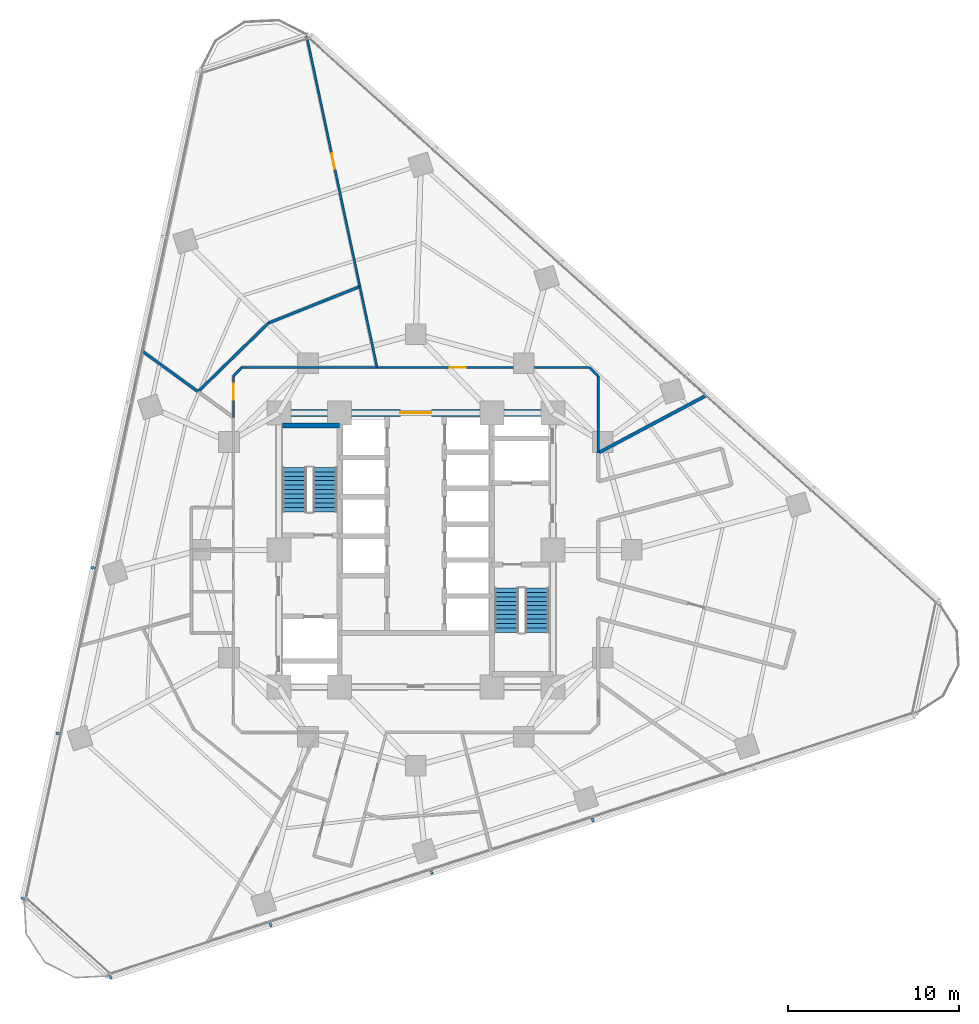
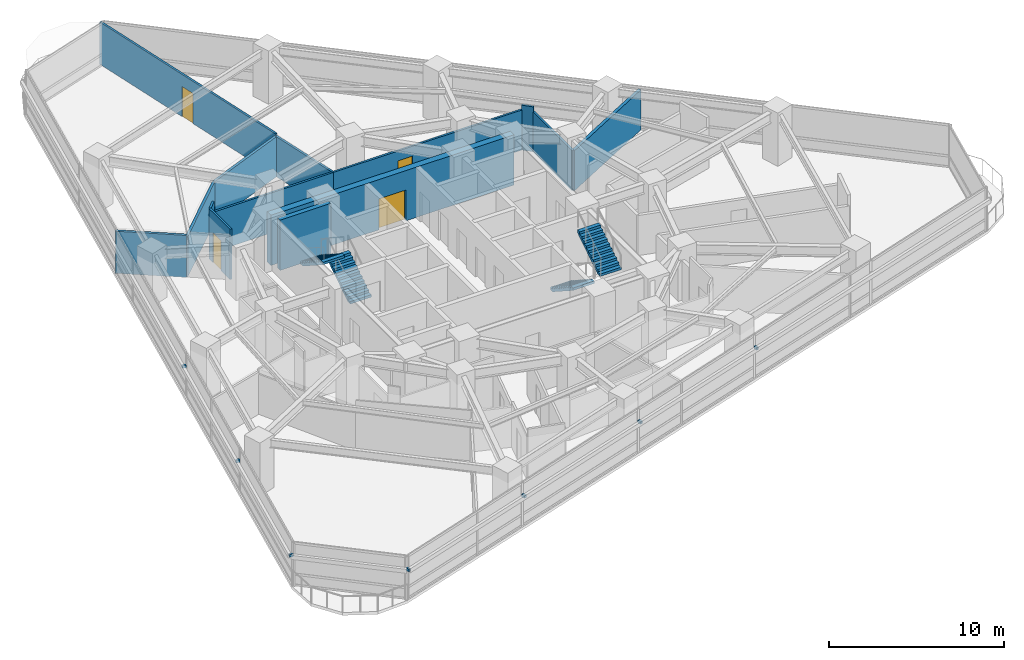
# One storey, part 9 of 13: 14 walls, 7 discrete accessories, 4 doors, 4 stair flights, 4 openings, 2 elements without a shape of their own.
"""IFC4 building model written with IfcOpenShell, lengths in metres."""

from ifc_helpers import new_model, si_unit, direction, frame, frame_2d, origin, origin_2d, place, context, subcontext, project, spatial, polyline, rectangle, outline, extrude, material, layer, layer_set, type_object, element, fill, aggregate, save


model = new_model("IFC4")

# Units and contexts
model_context = context("Model", 3, precision=1e-05, world=origin(), true_north=direction((0.0, 1.0)))
body_context = subcontext(model_context, "Body", "Model", "MODEL_VIEW")
ifc_project = project(units=[si_unit("LENGTHUNIT", "METRE"), si_unit("AREAUNIT", "SQUARE_METRE"), si_unit("VOLUMEUNIT", "CUBIC_METRE"), si_unit("PLANEANGLEUNIT", "RADIAN"), si_unit("MASSUNIT", "GRAM", prefix="KILO")], contexts=[model_context])

# Site, building, storey
site_placement = place(None, origin())
site = spatial("IfcSite", under=ifc_project, at=site_placement, CompositionType="ELEMENT")
building_placement = place(site_placement, origin())
building = spatial("IfcBuilding", under=site, at=building_placement, Name="Terralouvre Media Tower", CompositionType="ELEMENT")
storey_placement = place(building_placement, frame((0.0, 0.0, 94.0)))
storey = spatial("IfcBuildingStorey", under=building, at=storey_placement, Name="L23", CompositionType="ELEMENT", Elevation=94.0)

# Wall
ifc_material_1 = material(Name="Concrete C50/60", Category="concrete")
ifc_layer_1 = layer(ifc_material_1, 0.300048828125, Name="Core Internal Shaft Wall CW-300")
ifc_layer_set_1 = layer_set([ifc_layer_1], Name="Concrete C50/60")
wall_type_1 = type_object("IfcWallType", Name="Core Internal Shaft Wall CW-300", PredefinedType="SHEAR", material=ifc_layer_set_1)
wall_1_placement = place(storey_placement, frame((-7.7900390625, 7.260009765625, 0.0), z_axis=(0.0, 0.0, 1.0), x_axis=(1.0, 0.0, 0.0)))
element("IfcWall", 1, at=wall_1_placement, inside=storey, type_object=wall_type_1, Name="L23 Core Shaft Wall ST1F", PredefinedType="SHEAR", context=body_context, shape_type="SweptSolid", body=[
    extrude(rectangle(XDim=3.340087890625, YDim=0.300048828125, at=frame_2d((1.669921875, 0.0))), origin(), (0.0, 0.0, 1.0), 3.5),
])

# Wall, opening, door
ifc_material_2 = material(Name="Concrete C60/75", Category="concrete")
ifc_layer_2 = layer(ifc_material_2, 0.419921875, Name="Core Reinforced Concrete Shear Wall CW-420")
ifc_layer_set_2 = layer_set([ifc_layer_2], Name="Concrete C60/75")
wall_type_2 = type_object("IfcWallType", Name="Core Reinforced Concrete Shear Wall CW-420", PredefinedType="SHEAR", material=ifc_layer_set_2)
wall_2_placement = place(storey_placement, frame((-8.0, 8.0, 0.0), z_axis=(0.0, 0.0, 1.0), x_axis=(1.0, 0.0, 0.0)))
wall_2 = element("IfcWall", 2, at=wall_2_placement, inside=storey, type_object=wall_type_2, Name="L23 N Core Shear Wall", PredefinedType="SHEAR", context=body_context, shape_type="SweptSolid", body=[
    extrude(rectangle(XDim=16.0, YDim=0.419921875, at=frame_2d((8.0, 0.0))), origin(), (0.0, 0.0, 1.0), 3.5),
])
opening_1_placement = place(wall_2_placement, frame((7.10009765625, 0.0, 0.0)))
opening_1 = element("IfcOpeningElement", 3, at=opening_1_placement, cuts=wall_2, Name="Opening FD-03", PredefinedType="OPENING", context=body_context, shape_type="SweptSolid", body=[
    extrude(rectangle(XDim=1.800048828125, YDim=2.14990234375, at=frame_2d((0.89990234375, 1.074951171875))), frame((0.0, 0.219970703125, 0.0), z_axis=(0.0, -1.0, 0.0), x_axis=(1.0, 0.0, 0.0)), (0.0, 0.0, 1.0), 0.43994140625),
])
ifc_material_3 = material(Name="Galvanised steel fire-resisting leaf", Category="steel")
door_type_1 = type_object("IfcDoorType", Name="Corridor Smoke-Control Double Door FD-03", OperationType="DOUBLE_DOOR_SINGLE_SWING", PredefinedType="DOOR", material=ifc_material_3)
door_1_placement = place(opening_1_placement, origin())
door_1 = element("IfcDoor", 4, at=door_1_placement, inside=storey, type_object=door_type_1, Name="L23 Central Lift Lobby Portal Door", OperationType="DOUBLE_DOOR_SINGLE_SWING", OverallHeight=2.14990234375, OverallWidth=1.800048828125, PredefinedType="DOOR", context=body_context, shape_type="SweptSolid", body=[
    extrude(rectangle(XDim=1.800048828125, YDim=2.14990234375, at=frame_2d((0.89990234375, 1.074951171875))), frame((0.0, 0.02490234375, 0.0), z_axis=(0.0, -1.0, 0.0), x_axis=(1.0, 0.0, 0.0)), (0.0, 0.0, 1.0), 0.050048828125),
])
fill(opening_1, door_1)

# Walls
ifc_material_4 = material(Name="Fire-rated gypsum board drywall partition")
ifc_layer_3 = layer(ifc_material_4, 0.199951171875, Name="Fire-Rated Shaft and Lobby Partition FW-200")
ifc_layer_set_3 = layer_set([ifc_layer_3], Name="Fire-rated gypsum board drywall partition")
wall_type_3 = type_object("IfcWallType", Name="Fire-Rated Shaft and Lobby Partition FW-200", PredefinedType="SOLIDWALL", material=ifc_layer_set_3)
wall_3_placement = place(storey_placement, frame((16.980712890625, 9.029052734375, 0.0), z_axis=(0.0, 0.0, 1.0), x_axis=(-0.882958281143, -0.469451460496, 0.0)))
element("IfcWall", 5, at=wall_3_placement, inside=storey, type_object=wall_type_3, Name="L23 Interior Partition 034", PredefinedType="SOLIDWALL", context=body_context, shape_type="SweptSolid", body=[
    extrude(rectangle(XDim=7.169921875, YDim=0.199951171875, at=frame_2d((3.5849609375, 0.0))), origin(), (0.0, 0.0, 1.0), 2.784912109375),
])
ifc_material_5 = material(Name="Fire-rated gypsum board drywall partition")
ifc_layer_4 = layer(ifc_material_5, 0.135009765625, Name="Newsroom Acoustic Partition PT-135")
ifc_layer_set_4 = layer_set([ifc_layer_4], Name="Fire-rated gypsum board drywall partition")
wall_type_4 = type_object("IfcWallType", Name="Newsroom Acoustic Partition PT-135", PredefinedType="PARTITIONING", material=ifc_layer_set_4)
wall_4_placement = place(storey_placement, frame((10.64990234375, 5.6630859375, 0.0), z_axis=(0.0, 0.0, 1.0), x_axis=(0.0, 1.0, 0.0)))
element("IfcWall", 6, at=wall_4_placement, inside=storey, type_object=wall_type_4, Name="L23 Interior Partition 025", PredefinedType="PARTITIONING", context=body_context, shape_type="SweptSolid", body=[
    extrude(rectangle(XDim=4.48681640625, YDim=0.135009765625, at=frame_2d((2.243408203125, 0.0))), origin(), (0.0, 0.0, 1.0), 2.784912109375),
])
wall_5_placement = place(storey_placement, frame((10.64990234375, 10.14990234375, 0.0), z_axis=(0.0, 0.0, 1.0), x_axis=(-0.707106781187, 0.707106781187, 0.0)))
element("IfcWall", 7, at=wall_5_placement, inside=storey, type_object=wall_type_4, Name="L23 Interior Partition 026", PredefinedType="PARTITIONING", context=body_context, shape_type="SweptSolid", body=[
    extrude(rectangle(XDim=0.70703125, YDim=0.135009765625, at=frame_2d((0.353515625, 0.0))), origin(), (0.0, 0.0, 1.0), 3.125),
])

# Wall, opening, door
wall_6_placement = place(storey_placement, frame((10.14990234375, 10.64990234375, 0.0), z_axis=(0.0, 0.0, 1.0), x_axis=(-1.0, 0.0, 0.0)))
wall_6 = element("IfcWall", 8, at=wall_6_placement, inside=storey, type_object=wall_type_4, Name="L23 Interior Partition 027", PredefinedType="PARTITIONING", context=body_context, shape_type="SweptSolid", body=[
    extrude(rectangle(XDim=12.413818359375, YDim=0.135009765625, at=frame_2d((6.20703125, 0.0))), origin(), (0.0, 0.0, 1.0), 2.784912109375),
])
opening_2_placement = place(wall_6_placement, frame((7.2216796875, 0.0, 0.0)))
opening_2 = element("IfcOpeningElement", 9, at=opening_2_placement, cuts=wall_6, Name="Opening ID-02-95X210", PredefinedType="OPENING", context=body_context, shape_type="SweptSolid", body=[
    extrude(rectangle(XDim=0.949951171875, YDim=2.10009765625, at=frame_2d((0.47509765625, 1.050048828125))), frame((0.0, 0.077392578125, 0.0), z_axis=(0.0, -1.0, 0.0), x_axis=(1.0, 0.0, 0.0)), (0.0, 0.0, 1.0), 0.155029296875),
])
ifc_material_6 = material(Name="Engineered hardwood acoustic timber leaf", Category="wood")
door_type_2 = type_object("IfcDoorType", Name="Office and Meeting Room Door ID-02 (950x2100)", OperationType="NOTDEFINED", PredefinedType="DOOR", material=ifc_material_6)
door_2_placement = place(opening_2_placement, origin())
door_2 = element("IfcDoor", 10, at=door_2_placement, inside=storey, type_object=door_type_2, Name="L23 Sound Transfer Closet 8 Door", OperationType="SINGLE_SWING_RIGHT", OverallHeight=2.10009765625, OverallWidth=0.949951171875, PredefinedType="DOOR", context=body_context, shape_type="SweptSolid", body=[
    extrude(rectangle(XDim=0.949951171875, YDim=2.10009765625, at=frame_2d((0.47509765625, 1.050048828125))), frame((0.0, 0.02490234375, 0.0), z_axis=(0.0, -1.0, 0.0), x_axis=(1.0, 0.0, 0.0)), (0.0, 0.0, 1.0), 0.050048828125),
])
fill(opening_2, door_2)

# Walls
wall_7_placement = place(storey_placement, frame((-2.263916015625, 10.64990234375, 0.0), z_axis=(0.0, 0.0, 1.0), x_axis=(-1.0, 0.0, 0.0)))
element("IfcWall", 11, at=wall_7_placement, inside=storey, type_object=wall_type_4, Name="L23 Interior Partition 028", PredefinedType="PARTITIONING", context=body_context, shape_type="SweptSolid", body=[
    extrude(rectangle(XDim=7.885986328125, YDim=0.135009765625, at=frame_2d((3.94287109375, 0.0))), origin(), (0.0, 0.0, 1.0), 2.784912109375),
])
wall_8_placement = place(storey_placement, frame((-10.14990234375, 10.64990234375, 0.0), z_axis=(0.0, 0.0, 1.0), x_axis=(-0.707106781187, -0.707106781187, 0.0)))
element("IfcWall", 12, at=wall_8_placement, inside=storey, type_object=wall_type_4, Name="L23 Interior Partition 029", PredefinedType="PARTITIONING", context=body_context, shape_type="SweptSolid", body=[
    extrude(rectangle(XDim=0.70703125, YDim=0.135009765625, at=frame_2d((0.353515625, 0.0))), origin(), (0.0, 0.0, 1.0), 3.5),
])

# Wall, opening, door
wall_9_placement = place(storey_placement, frame((-10.64990234375, 10.14990234375, 0.0), z_axis=(0.0, 0.0, 1.0), x_axis=(0.0, -1.0, 0.0)))
wall_9 = element("IfcWall", 13, at=wall_9_placement, inside=storey, type_object=wall_type_4, Name="L23 Interior Partition 030", PredefinedType="PARTITIONING", context=body_context, shape_type="SweptSolid", body=[
    extrude(rectangle(XDim=2.411865234375, YDim=0.135009765625, at=frame_2d((1.2060546875, 0.0))), origin(), (0.0, 0.0, 1.0), 3.5),
])
opening_3_placement = place(wall_9_placement, frame((0.441650390625, 0.0, 0.0)))
opening_3 = element("IfcOpeningElement", 14, at=opening_3_placement, cuts=wall_9, Name="Opening ID-02-95X210", PredefinedType="OPENING", context=body_context, shape_type="SweptSolid", body=[
    extrude(rectangle(XDim=0.949951171875, YDim=2.10009765625, at=frame_2d((0.47509765625, 1.050048828125))), frame((0.0, 0.077392578125, 0.0), z_axis=(0.0, -1.0, 0.0), x_axis=(1.0, 0.0, 0.0)), (0.0, 0.0, 1.0), 0.155029296875),
])
door_3_placement = place(opening_3_placement, origin())
door_3 = element("IfcDoor", 15, at=door_3_placement, inside=storey, type_object=door_type_2, Name="L23 Client Cut Review Theatre 10 Door", OperationType="SINGLE_SWING_LEFT", OverallHeight=2.10009765625, OverallWidth=0.949951171875, PredefinedType="DOOR", context=body_context, shape_type="SweptSolid", body=[
    extrude(rectangle(XDim=0.949951171875, YDim=2.10009765625, at=frame_2d((0.47509765625, 1.050048828125))), frame((0.0, 0.02490234375, 0.0), z_axis=(0.0, -1.0, 0.0), x_axis=(1.0, 0.0, 0.0)), (0.0, 0.0, 1.0), 0.050048828125),
])
fill(opening_3, door_3)

wall_10_placement = place(storey_placement, frame((-6.380615234375, 30.0205078125, 0.0), z_axis=(0.0, 0.0, 1.0), x_axis=(0.207886847462, -0.978152881022, 0.0)))
wall_10 = element("IfcWall", 16, at=wall_10_placement, inside=storey, type_object=wall_type_4, Name="L23 Interior Partition 053", PredefinedType="PARTITIONING", context=body_context, shape_type="SweptSolid", body=[
    extrude(rectangle(XDim=14.967529296875, YDim=0.135009765625, at=frame_2d((7.48388671875, 0.0))), origin(), (0.0, 0.0, 1.0), 2.93505859375),
])
opening_4_placement = place(wall_10_placement, frame((7.023681640625, 0.0, 0.0)))
opening_4 = element("IfcOpeningElement", 17, at=opening_4_placement, cuts=wall_10, Name="Opening ID-03-92X210", PredefinedType="OPENING", context=body_context, shape_type="SweptSolid", body=[
    extrude(rectangle(XDim=0.919921875, YDim=2.10009765625, at=frame_2d((0.4599609375, 1.050048828125))), frame((0.0, 0.077392578125, 0.0), z_axis=(0.0, -1.0, 0.0), x_axis=(1.0, 0.0, 0.0)), (0.0, 0.0, 1.0), 0.155029296875),
])
ifc_material_7 = material(Name="Engineered hardwood acoustic timber leaf", Category="wood")
door_type_3 = type_object("IfcDoorType", Name="Accessible Restroom and Suite Door ID-03 (920x2100)", OperationType="NOTDEFINED", PredefinedType="DOOR", material=ifc_material_7)
door_4_placement = place(opening_4_placement, origin())
door_4 = element("IfcDoor", 18, at=door_4_placement, inside=storey, type_object=door_type_3, Name="L23 Dolby Preview Screening Cinema 9 Door", OperationType="SINGLE_SWING_LEFT", OverallHeight=2.10009765625, OverallWidth=0.919921875, PredefinedType="DOOR", context=body_context, shape_type="SweptSolid", body=[
    extrude(rectangle(XDim=0.919921875, YDim=2.10009765625, at=frame_2d((0.4599609375, 1.050048828125))), frame((0.0, 0.02490234375, 0.0), z_axis=(0.0, -1.0, 0.0), x_axis=(1.0, 0.0, 0.0)), (0.0, 0.0, 1.0), 0.050048828125),
])
fill(opening_4, door_4)

# Walls
wall_11_placement = place(storey_placement, frame((-3.26904296875, 15.3798828125, 0.0), z_axis=(0.0, 0.0, 1.0), x_axis=(0.207859963491, -0.978158594287, 0.0)))
element("IfcWall", 19, at=wall_11_placement, inside=storey, type_object=wall_type_4, Name="L23 Interior Partition 054", PredefinedType="PARTITIONING", context=body_context, shape_type="SweptSolid", body=[
    extrude(rectangle(XDim=4.835693359375, YDim=0.135009765625, at=frame_2d((2.41796875, 0.0))), origin(), (0.0, 0.0, 1.0), 2.784912109375),
])
ifc_material_8 = material(Name="Fire-rated gypsum board drywall partition")
ifc_layer_5 = layer(ifc_material_8, 0.159912109375, Name="Studio Acoustic Rated Partition PT-160")
ifc_layer_set_5 = layer_set([ifc_layer_5], Name="Fire-rated gypsum board drywall partition")
wall_type_5 = type_object("IfcWallType", Name="Studio Acoustic Rated Partition PT-160", PredefinedType="PARTITIONING", material=ifc_layer_set_5)
wall_12_placement = place(storey_placement, frame((-12.720947265625, 9.241943359375, 0.0), z_axis=(0.0, 0.0, 1.0), x_axis=(0.716351016203, 0.697740081682, 0.0)))
element("IfcWall", 20, at=wall_12_placement, inside=storey, type_object=wall_type_5, Name="L23 Interior Partition 055", PredefinedType="PARTITIONING", context=body_context, shape_type="SweptSolid", body=[
    extrude(rectangle(XDim=5.745849609375, YDim=0.159912109375, at=frame_2d((2.873046875, 0.0))), origin(), (0.0, 0.0, 1.0), 2.784912109375),
])
wall_13_placement = place(storey_placement, frame((-8.60498046875, 13.2509765625, 0.0), z_axis=(0.0, 0.0, 1.0), x_axis=(0.928804577443, 0.370569908277, 0.0)))
element("IfcWall", 21, at=wall_13_placement, inside=storey, type_object=wall_type_5, Name="L23 Interior Partition 056", PredefinedType="PARTITIONING", context=body_context, shape_type="SweptSolid", body=[
    extrude(rectangle(XDim=5.744873046875, YDim=0.159912109375, at=frame_2d((2.87255859375, 0.0))), origin(), (0.0, 0.0, 1.0), 2.784912109375),
])
wall_14_placement = place(storey_placement, frame((-16.00439453125, 11.627685546875, 0.0), z_axis=(0.0, 0.0, 1.0), x_axis=(0.80899612579, -0.587813974364, 0.0)))
element("IfcWall", 22, at=wall_14_placement, inside=storey, type_object=wall_type_5, Name="L23 Interior Partition 057", PredefinedType="PARTITIONING", context=body_context, shape_type="SweptSolid", body=[
    extrude(rectangle(XDim=4.05859375, YDim=0.159912109375, at=frame_2d((2.029296875, 0.0))), origin(), (0.0, 0.0, 1.0), 2.925048828125),
])

# Stair, stair flights
ifc_material_9 = material(Name="Concrete C45/55", Category="concrete")
stair_type_1 = type_object("IfcStairType", Name="Dogleg Stair Assembly ST-01", PredefinedType="HALF_TURN_STAIR", material=ifc_material_9)
stair_1_placement = place(storey_placement, origin())
stair_1 = element("IfcStair", 23, at=stair_1_placement, inside=storey, type_object=stair_type_1, Name="L23 Core Pressurised Exit Stair ST-01", PredefinedType="HALF_TURN_STAIR")
ifc_material_10 = material(Name="Concrete C45/55", Category="concrete")
stair_flight_type = type_object("IfcStairFlightType", Name="Reinforced Concrete Stair Flight SF-RC1", PredefinedType="STRAIGHT", material=ifc_material_10)
stair_flight_1_placement = place(storey_placement, frame((-5.300048828125, 2.219970703125, 0.0), z_axis=(0.0, 0.0, 1.0), x_axis=(0.0, 1.0, 0.0)))
stair_flight_1 = element("IfcStairFlight", 24, at=stair_flight_1_placement, type_object=stair_flight_type, Name="ST-01 flight 1", NumberOfRisers=11, NumberOfTreads=10, PredefinedType="STRAIGHT", RiserHeight=0.168181818, TreadLength=0.26, context=body_context, shape_type="SweptSolid", body=[
    extrude(outline(polyline([(0.0, 0.0), (0.0, 0.168212890625), (0.260009765625, 0.168212890625), (0.260009765625, 0.33642578125), (0.52001953125, 0.33642578125), (0.52001953125, 0.504638671875), (0.780029296875, 0.504638671875), (0.780029296875, 0.672607421875), (1.0400390625, 0.672607421875), (1.0400390625, 0.8408203125), (1.300048828125, 0.8408203125), (1.300048828125, 1.009033203125), (1.56005859375, 1.009033203125), (1.56005859375, 1.17724609375), (1.820068359375, 1.17724609375), (1.820068359375, 1.345458984375), (2.080078125, 1.345458984375), (2.080078125, 1.513671875), (2.340087890625, 1.513671875), (2.340087890625, 1.681884765625), (2.60009765625, 1.681884765625), (2.60009765625, 1.85009765625), (2.60009765625, 1.503173828125), (0.27587890625, 0.0), (0.0, 0.0)])), frame((0.0, 0.699951171875, 0.0), z_axis=(0.0, -1.0, 0.0), x_axis=(1.0, 0.0, 0.0)), (0.0, 0.0, 1.0), 1.39990234375),
])
stair_flight_2_placement = place(storey_placement, frame((-7.080078125, 4.820068359375, 1.85009765625), z_axis=(0.0, 0.0, 1.0), x_axis=(0.0, -1.0, 0.0)))
stair_flight_2 = element("IfcStairFlight", 25, at=stair_flight_2_placement, type_object=stair_flight_type, Name="ST-01 flight 2", NumberOfRisers=11, NumberOfTreads=10, PredefinedType="STRAIGHT", RiserHeight=0.168181818, TreadLength=0.26, context=body_context, shape_type="SweptSolid", body=[
    extrude(outline(polyline([(0.0, 0.0), (0.0, 0.168212890625), (0.260009765625, 0.168212890625), (0.260009765625, 0.33642578125), (0.52001953125, 0.33642578125), (0.52001953125, 0.504638671875), (0.780029296875, 0.504638671875), (0.780029296875, 0.672607421875), (1.0400390625, 0.672607421875), (1.0400390625, 0.8408203125), (1.300048828125, 0.8408203125), (1.300048828125, 1.009033203125), (1.56005859375, 1.009033203125), (1.56005859375, 1.17724609375), (1.820068359375, 1.17724609375), (1.820068359375, 1.345458984375), (2.080078125, 1.345458984375), (2.080078125, 1.513671875), (2.340087890625, 1.513671875), (2.340087890625, 1.681884765625), (2.60009765625, 1.681884765625), (2.60009765625, 1.85009765625), (2.60009765625, 1.503173828125), (0.27587890625, 0.0), (0.0, 0.0)])), frame((0.0, 0.699951171875, 0.0), z_axis=(0.0, -1.0, 0.0), x_axis=(1.0, 0.0, 0.0)), (0.0, 0.0, 1.0), 1.39990234375),
])
aggregate(stair_1, [stair_flight_1, stair_flight_2])

ifc_material_11 = material(Name="Concrete C45/55", Category="concrete")
stair_type_2 = type_object("IfcStairType", Name="Dogleg Stair Assembly ST-02", PredefinedType="HALF_TURN_STAIR", material=ifc_material_11)
stair_2_placement = place(storey_placement, origin())
stair_2 = element("IfcStair", 26, at=stair_2_placement, inside=storey, type_object=stair_type_2, Name="L23 Core Pressurised Exit Stair ST-02", PredefinedType="HALF_TURN_STAIR")
stair_flight_3_placement = place(storey_placement, frame((5.300048828125, -2.219970703125, 0.0), z_axis=(0.0, 0.0, 1.0), x_axis=(0.0, -1.0, 0.0)))
stair_flight_3 = element("IfcStairFlight", 27, at=stair_flight_3_placement, type_object=stair_flight_type, Name="ST-02 flight 1", NumberOfRisers=11, NumberOfTreads=10, PredefinedType="STRAIGHT", RiserHeight=0.168181818, TreadLength=0.26, context=body_context, shape_type="SweptSolid", body=[
    extrude(outline(polyline([(0.0, 0.0), (0.0, 0.168212890625), (0.260009765625, 0.168212890625), (0.260009765625, 0.33642578125), (0.52001953125, 0.33642578125), (0.52001953125, 0.504638671875), (0.780029296875, 0.504638671875), (0.780029296875, 0.672607421875), (1.0400390625, 0.672607421875), (1.0400390625, 0.8408203125), (1.300048828125, 0.8408203125), (1.300048828125, 1.009033203125), (1.56005859375, 1.009033203125), (1.56005859375, 1.17724609375), (1.820068359375, 1.17724609375), (1.820068359375, 1.345458984375), (2.080078125, 1.345458984375), (2.080078125, 1.513671875), (2.340087890625, 1.513671875), (2.340087890625, 1.681884765625), (2.60009765625, 1.681884765625), (2.60009765625, 1.85009765625), (2.60009765625, 1.503173828125), (0.27587890625, 0.0), (0.0, 0.0)])), frame((0.0, 0.699951171875, 0.0), z_axis=(0.0, -1.0, 0.0), x_axis=(1.0, 0.0, 0.0)), (0.0, 0.0, 1.0), 1.39990234375),
])
stair_flight_4_placement = place(storey_placement, frame((7.080078125, -4.820068359375, 1.85009765625), z_axis=(0.0, 0.0, 1.0), x_axis=(0.0, 1.0, 0.0)))
stair_flight_4 = element("IfcStairFlight", 28, at=stair_flight_4_placement, type_object=stair_flight_type, Name="ST-02 flight 2", NumberOfRisers=11, NumberOfTreads=10, PredefinedType="STRAIGHT", RiserHeight=0.168181818, TreadLength=0.26, context=body_context, shape_type="SweptSolid", body=[
    extrude(outline(polyline([(0.0, 0.0), (0.0, 0.168212890625), (0.260009765625, 0.168212890625), (0.260009765625, 0.33642578125), (0.52001953125, 0.33642578125), (0.52001953125, 0.504638671875), (0.780029296875, 0.504638671875), (0.780029296875, 0.672607421875), (1.0400390625, 0.672607421875), (1.0400390625, 0.8408203125), (1.300048828125, 0.8408203125), (1.300048828125, 1.009033203125), (1.56005859375, 1.009033203125), (1.56005859375, 1.17724609375), (1.820068359375, 1.17724609375), (1.820068359375, 1.345458984375), (2.080078125, 1.345458984375), (2.080078125, 1.513671875), (2.340087890625, 1.513671875), (2.340087890625, 1.681884765625), (2.60009765625, 1.681884765625), (2.60009765625, 1.85009765625), (2.60009765625, 1.503173828125), (0.27587890625, 0.0), (0.0, 0.0)])), frame((0.0, 0.699951171875, 0.0), z_axis=(0.0, -1.0, 0.0), x_axis=(1.0, 0.0, 0.0)), (0.0, 0.0, 1.0), 1.39990234375),
])
aggregate(stair_2, [stair_flight_3, stair_flight_4])

# Discrete accessories
ifc_material_12 = material(Name="Anodised extruded aluminium 6063-T6", Category="aluminium")
discrete_accessory_type = type_object("IfcDiscreteAccessoryType", Name="Mullion Stand-Off Baguette Fixing Bracket BK-01", PredefinedType="BRACKET", material=ifc_material_12)
for number, where, z_axis, x_axis, name in (
    (29, (-17.852783203125, -24.928955078125, 2.07421875), (0.0, 0.0, 1.0), (0.951056509451, 0.309017015439, 0.0), "CW-L23-F0 Baguette Outrigger Bracket 1.01"),
    (30, (-8.484375, -21.885009765625, 2.07421875), (0.0, 0.0, 1.0), (0.951056509451, 0.309017015439, 0.0), "CW-L23-F0 Baguette Outrigger Bracket 1.02"),
    (31, (0.919677734375, -18.82958984375, 2.07421875), (0.0, 0.0, 1.0), (0.951056509451, 0.309017015439, 0.0), "CW-L23-F0 Baguette Outrigger Bracket 1.03"),
    (32, (10.32373046875, -15.77392578125, 2.07421875), (0.0, 0.0, 1.0), (0.951056509451, 0.309017015439, 0.0), "CW-L23-F0 Baguette Outrigger Bracket 1.04"),
    (33, (-18.822509765625, -1.0537109375, 2.07421875), (0.0, 0.0, 1.0), (-0.207911643887, -0.978147610709, 0.0), "CW-L23-F2 Baguette Outrigger Bracket 1.04"),
    (34, (-20.87841796875, -10.7255859375, 2.07421875), (0.0, 0.0, 1.0), (-0.207911643887, -0.978147610709, 0.0), "CW-L23-F2 Baguette Outrigger Bracket 1.05"),
    (35, (-22.92626953125, -20.36083984375, 2.07421875), (0.0, 0.0, 1.0), (-0.207911643887, -0.978147610709, 0.0), "CW-L23-F2 Baguette Outrigger Bracket 1.06"),
):
    element("IfcDiscreteAccessory", number, at=place(storey_placement, frame(where, z_axis=z_axis, x_axis=x_axis)), inside=storey, type_object=discrete_accessory_type, Name=name, PredefinedType="BRACKET", context=body_context, shape_type="SweptSolid", body=[
        extrude(rectangle(XDim=0.139892578125, YDim=0.239990234375, at=origin_2d()), origin(), (0.0, 0.0, 1.0), 0.179931640625),
    ])

save(model, "model.ifc")
